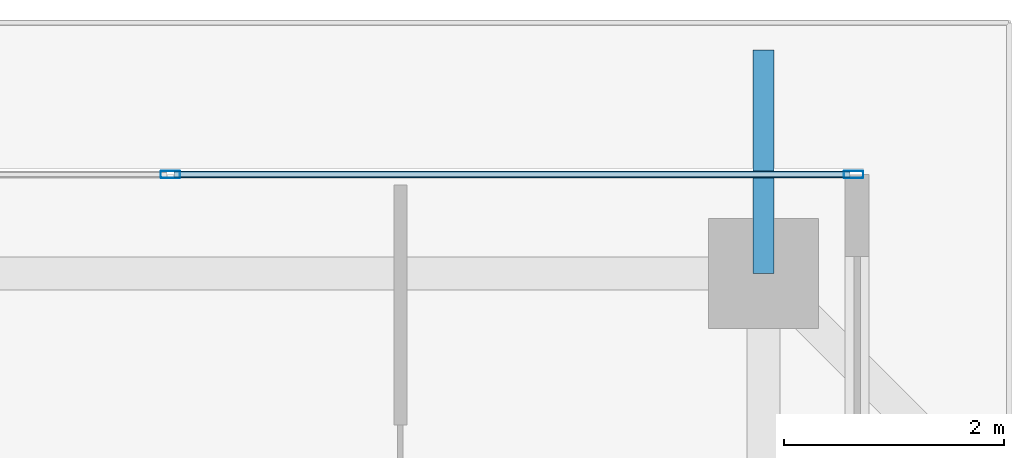
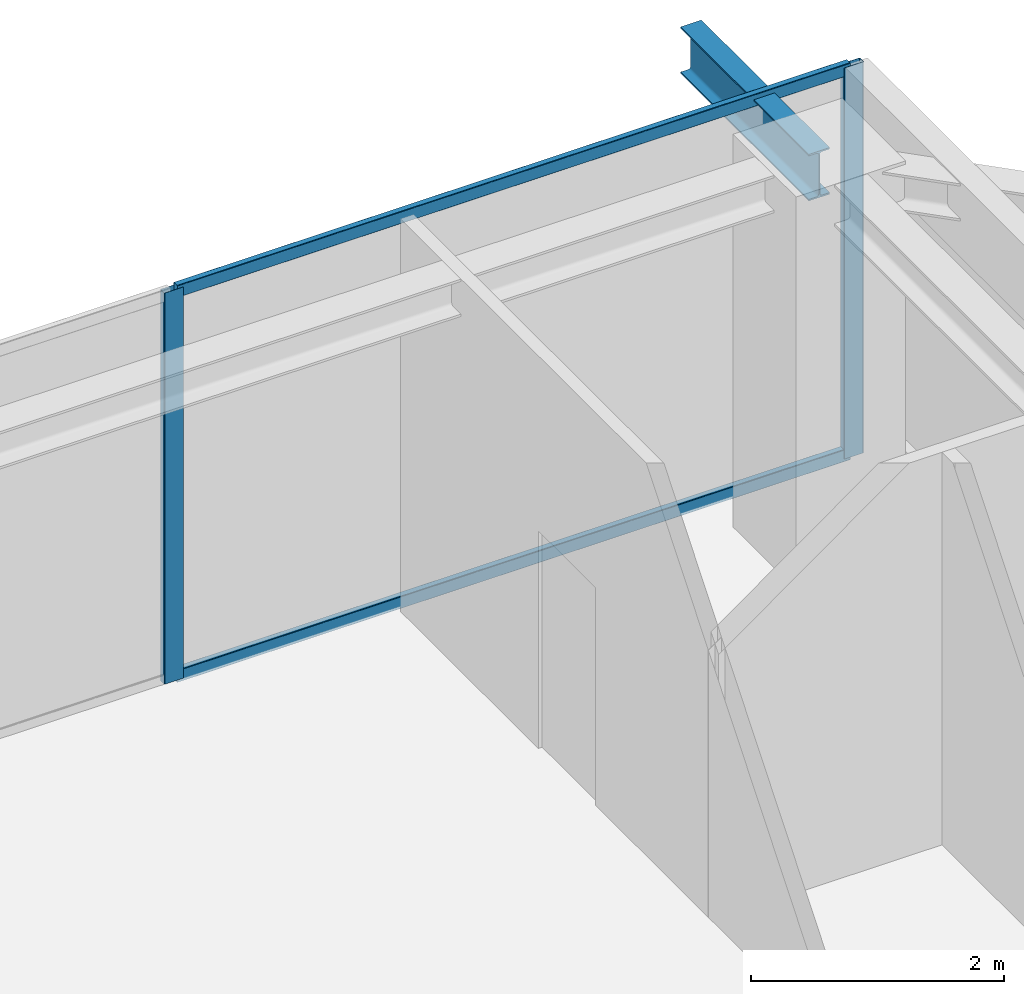
# One storey, part 29 of 42: 4 members, 1 beam, 1 element without a shape of its own.
"""IFC4 building model written with IfcOpenShell, lengths in metres."""

import ifcopenshell
import ifcopenshell.guid

model = None  # the IFC model being written
_history = None  # IfcOwnerHistory: only IFC2X3 demands one
_inside = {}  # id of a spatial element -> (the spatial element, [elements in it])
_under = {}  # id of a project, library or spatial element -> (it, [spatial elements below it])
_declared = {}  # id of a project -> (the project, [libraries it declares])
_typed = {}  # id of a type object -> (the type object, [elements of that type])
_made_of = {}  # id of a material, layer set ... -> (it, [elements and type objects made of it])


def new_model(schema):
    """Start an empty IFC model of exactly this schema.

    Asked for "IFC4X3", IfcOpenShell would pick the latest addendum, in which some entities
    have other attributes; the version numbers below select the first issue.
    IFC2X3 requires an IfcOwnerHistory on every rooted entity: one is made here for all.
    """
    global model, _history
    if schema == "IFC4X3":
        model = ifcopenshell.file(schema_version=(4, 3, 0, 0))
    else:
        model = ifcopenshell.file(schema=schema)
    _inside.clear()
    _under.clear()
    _declared.clear()
    _typed.clear()
    _made_of.clear()
    _history = None
    if model.schema == "IFC2X3":
        org = make("IfcOrganization", Name="unknown")
        user = make(
            "IfcPersonAndOrganization",
            ThePerson=make("IfcPerson", FamilyName="unknown"),
            TheOrganization=org,
        )
        app = make(
            "IfcApplication",
            ApplicationDeveloper=org,
            Version="unknown",
            ApplicationFullName="unknown",
            ApplicationIdentifier="unknown",
        )
        _history = make(
            "IfcOwnerHistory",
            OwningUser=user,
            OwningApplication=app,
            ChangeAction="ADDED",
            CreationDate=0,
        )
    return model


def make(cls, **values):
    """One entity of the class cls with the attributes given. An attribute that is None is left unset."""
    return model.create_entity(
        cls, **{name: value for name, value in values.items() if value is not None}
    )


def rooted(cls, **values):
    """An entity with a GlobalId (a new one), such as an element, a storey or a relation."""
    return make(cls, GlobalId=ifcopenshell.guid.new(), OwnerHistory=_history, **values)


def si_unit(unit_type, name, prefix=None):
    """IfcSIUnit, for example si_unit("LENGTHUNIT", "METRE", prefix="MILLI")."""
    return make("IfcSIUnit", UnitType=unit_type, Prefix=prefix, Name=name)


def assignment(units):
    """IfcUnitAssignment: the units of a project."""
    return None if units is None else make("IfcUnitAssignment", Units=units)


def point(xyz):
    """IfcCartesianPoint."""
    return None if xyz is None else make("IfcCartesianPoint", Coordinates=xyz)


def direction(xyz):
    """IfcDirection."""
    return None if xyz is None else make("IfcDirection", DirectionRatios=xyz)


def frame(location, z_axis=None, x_axis=None):
    """IfcAxis2Placement3D, a coordinate frame: its origin and axes. An axis left out is left unset."""
    return make(
        "IfcAxis2Placement3D",
        Location=point(location),
        Axis=direction(z_axis),
        RefDirection=direction(x_axis),
    )


def frame_2d(location, x_axis=None):
    """IfcAxis2Placement2D, a coordinate frame in the plane: its origin and x axis."""
    return make(
        "IfcAxis2Placement2D", Location=point(location), RefDirection=direction(x_axis)
    )


def origin():
    """The frame at (0, 0, 0) with its axes left unset."""
    return frame((0.0, 0.0, 0.0))


def origin_2d():
    """The frame at (0, 0) in the plane with its x axis left unset."""
    return frame_2d((0.0, 0.0))


def place(relative_to, where):
    """IfcLocalPlacement: puts the frame where relative to a parent placement (None: the world)."""
    return make(
        "IfcLocalPlacement", PlacementRelTo=relative_to, RelativePlacement=where
    )


def context(
    kind, dimensions, precision=None, world=None, true_north=None, identifier=None
):
    """IfcGeometricRepresentationContext, for example the 3D "Model" context."""
    return make(
        "IfcGeometricRepresentationContext",
        ContextIdentifier=identifier,
        ContextType=kind,
        CoordinateSpaceDimension=dimensions,
        Precision=precision,
        WorldCoordinateSystem=world,
        TrueNorth=true_north,
    )


def subcontext(parent, identifier, kind, view, scale=None):
    """IfcGeometricRepresentationSubContext, for example "Body" below "Model"."""
    return make(
        "IfcGeometricRepresentationSubContext",
        ContextIdentifier=identifier,
        ContextType=kind,
        ParentContext=parent,
        TargetScale=scale,
        TargetView=view,
    )


def project(units=None, contexts=None):
    """IfcProject with its units and contexts."""
    return rooted(
        "IfcProject",
        Name="project",
        RepresentationContexts=contexts,
        UnitsInContext=assignment(units),
    )


def spatial(cls, under=None, at=None, **own):
    """A site, building, storey or space (cls), placed at a placement, below another one or the project."""
    s = rooted(cls, ObjectPlacement=at, **own)
    if under is not None:
        _under.setdefault(under.id(), (under, []))[1].append(s)
    return s


def profile(cls, at=None, kind="AREA", **sizes):
    """A parametric profile (cls). Its sizes go by their IFC names, for example OverallWidth=200.0."""
    return make(cls, ProfileType=kind, Position=at, **sizes)


def hollow_rectangle(**sizes):
    """IfcRectangleHollowProfileDef."""
    return profile("IfcRectangleHollowProfileDef", **sizes)


def i_section(**sizes):
    """IfcIShapeProfileDef."""
    return profile("IfcIShapeProfileDef", **sizes)


def extrude(swept, where, along, depth):
    """IfcExtrudedAreaSolid: the profile swept, set in the frame where, extruded along a direction by depth."""
    return make(
        "IfcExtrudedAreaSolid",
        SweptArea=swept,
        Position=where,
        ExtrudedDirection=direction(along),
        Depth=depth,
    )


def shape(context_of_items, identifier, shape_type, items):
    """IfcShapeRepresentation: the items that make up one representation, for example the "Body"."""
    return make(
        "IfcShapeRepresentation",
        ContextOfItems=context_of_items,
        RepresentationIdentifier=identifier,
        RepresentationType=shape_type,
        Items=items,
    )


def source(mapping_origin, context_of_items, identifier, shape_type, items):
    """IfcRepresentationMap: a shape defined once, which mapped items show again and again."""
    return make(
        "IfcRepresentationMap",
        MappingOrigin=mapping_origin,
        MappedRepresentation=shape(context_of_items, identifier, shape_type, items),
    )


def transform(
    local_origin,
    x_axis=None,
    y_axis=None,
    z_axis=None,
    scale=None,
    scale2=None,
    scale3=None,
    uniform=True,
):
    """IfcCartesianTransformationOperator3D, or its non-uniform kind. x_axis, y_axis, z_axis: its Axis1, 2, 3."""
    if uniform:
        return make(
            "IfcCartesianTransformationOperator3D",
            Axis1=direction(x_axis),
            Axis2=direction(y_axis),
            LocalOrigin=point(local_origin),
            Scale=scale,
            Axis3=direction(z_axis),
        )
    return make(
        "IfcCartesianTransformationOperator3DnonUniform",
        Axis1=direction(x_axis),
        Axis2=direction(y_axis),
        LocalOrigin=point(local_origin),
        Scale=scale,
        Axis3=direction(z_axis),
        Scale2=scale2,
        Scale3=scale3,
    )


def mapped(mapping_source, mapping_target):
    """IfcMappedItem: shows the shape of a source again, moved by a transform."""
    return make(
        "IfcMappedItem", MappingSource=mapping_source, MappingTarget=mapping_target
    )


def material(Name=None, Category=None):
    """IfcMaterial."""
    return make("IfcMaterial", Name=Name, Category=Category)


def layer(
    of_material, thickness, ventilated=None, Name=None, Category=None, Priority=None
):
    """IfcMaterialLayer: one layer of a wall or slab, of a material (None: an air gap)."""
    return make(
        "IfcMaterialLayer",
        Material=of_material,
        LayerThickness=thickness,
        IsVentilated=ventilated,
        Name=Name,
        Category=Category,
        Priority=Priority,
    )


def layer_set(layers, Name=None):
    """IfcMaterialLayerSet."""
    return make("IfcMaterialLayerSet", MaterialLayers=layers, LayerSetName=Name)


def material_profile(
    of_material, cross_section, Name=None, Category=None, Priority=None
):
    """IfcMaterialProfile: a cross section and its material."""
    return make(
        "IfcMaterialProfile",
        Name=Name,
        Material=of_material,
        Profile=cross_section,
        Priority=Priority,
        Category=Category,
    )


def profile_set(profiles, Name=None, composite=None):
    """IfcMaterialProfileSet."""
    return make(
        "IfcMaterialProfileSet",
        Name=Name,
        MaterialProfiles=profiles,
        CompositeProfile=composite,
    )


def made_of(thing, what):
    """Note that an element or type object is made of a material, layer set ...; save() writes the relation."""
    if what is not None:
        _made_of.setdefault(what.id(), (what, []))[1].append(thing)
    return thing


def type_object(cls, material=None, **own):
    """A type object (cls), such as IfcWallType, which elements share."""
    return made_of(rooted(cls, **own), material)


def element(
    cls,
    number,
    at=None,
    inside=None,
    cuts=None,
    type_object=None,
    material=None,
    context=None,
    identifier="Body",
    shape_type=None,
    held_by="IfcProductDefinitionShape",
    body=None,
    shapes=None,
    **own,
):
    """One element of the class cls, such as IfcWall. Its Tag is "e" and its number.

    at: its placement. inside: the storey or other place that contains it. cuts: it is an
    opening in that element (IfcRelVoidsElement). A single representation is given by context,
    identifier, shape_type and body (its items); several are given by shapes. held_by: the class
    of the entity that holds the representations. save() writes the other relations.
    """
    e = rooted(cls, Tag="e%d" % number, ObjectPlacement=at, **own)
    if body is not None:
        shapes = [shape(context, identifier, shape_type, body)]
    if shapes is not None:
        e.Representation = make(held_by, Representations=shapes)
    if inside is not None:
        _inside.setdefault(inside.id(), (inside, []))[1].append(e)
    if cuts is not None:
        rooted(
            "IfcRelVoidsElement", RelatingBuildingElement=cuts, RelatedOpeningElement=e
        )
    if type_object is not None:
        _typed.setdefault(type_object.id(), (type_object, []))[1].append(e)
    return made_of(e, material)


def aggregate(whole, parts):
    """IfcRelAggregates: a whole, such as a stair, and the parts it consists of."""
    return rooted("IfcRelAggregates", RelatingObject=whole, RelatedObjects=parts)


def save(model, path):
    """Write the relations noted so far, then the file.

    IfcRelAggregates (storeys below a building ...), IfcRelContainedInSpatialStructure (elements
    in a storey), IfcRelDefinesByType, IfcRelAssociatesMaterial and IfcRelDeclares: one each for
    every whole, place, type object, material and project.
    """
    for whole, parts in _under.values():
        aggregate(whole, parts)
    for where, things in _inside.values():
        rooted(
            "IfcRelContainedInSpatialStructure",
            RelatedElements=things,
            RelatingStructure=where,
        )
    for kind, things in _typed.values():
        rooted("IfcRelDefinesByType", RelatedObjects=things, RelatingType=kind)
    for what, things in _made_of.values():
        rooted("IfcRelAssociatesMaterial", RelatedObjects=things, RelatingMaterial=what)
    for by, libraries in _declared.values():
        rooted("IfcRelDeclares", RelatingContext=by, RelatedDefinitions=libraries)
    model.write(path)


model = new_model("IFC4")

# Units and contexts
model_context = context("Model", 3, precision=1e-05, world=origin(), true_north=direction((0.0, 1.0)))
body_context = subcontext(model_context, "Body", "Model", "MODEL_VIEW")
ifc_project = project(units=[si_unit("LENGTHUNIT", "METRE"), si_unit("AREAUNIT", "SQUARE_METRE"), si_unit("VOLUMEUNIT", "CUBIC_METRE"), si_unit("PLANEANGLEUNIT", "RADIAN"), si_unit("MASSUNIT", "GRAM", prefix="KILO")], contexts=[model_context])

# Site, building, storey
site_placement = place(None, origin())
site = spatial("IfcSite", under=ifc_project, at=site_placement, CompositionType="ELEMENT")
building_placement = place(site_placement, origin())
building = spatial("IfcBuilding", under=site, at=building_placement, Name="Serunith Strait Residences", CompositionType="ELEMENT")
storey_placement = place(building_placement, frame((0.0, 0.0, 297.5)))
storey = spatial("IfcBuildingStorey", under=building, at=storey_placement, Name="L74", CompositionType="ELEMENT", Elevation=297.5)

# Beam
ifc_material_1 = material(Name="Steel S355J2", Category="steel")
ifc_material_profile_1 = material_profile(ifc_material_1, i_section(OverallWidth=0.18994140625, OverallDepth=0.449951171875, WebThickness=0.009521484375, FlangeThickness=0.0146484375, FilletRadius=0.02099609375, at=origin_2d()), Name="IPE 450")
ifc_profile_set_1 = profile_set([ifc_material_profile_1], Name="Steel S355J2")
beam_type = type_object("IfcBeamType", Name="BM-IPE450", PredefinedType="JOIST", material=ifc_profile_set_1)
shared_shape_1 = source(origin(), body_context, "Body", "SweptSolid", [
    extrude(i_section(OverallWidth=0.18994140625, OverallDepth=0.449951171875, WebThickness=0.009521484375, FlangeThickness=0.0146484375, FilletRadius=0.02099609375, at=origin_2d()), origin(), (0.0, 0.0, 1.0), 2.02978515625),
])
beam_placement = place(storey_placement, frame((47.14990234375, 47.10009765625, 3.531982421875), z_axis=(0.0, 1.0, 0.0), x_axis=(-1.0, 0.0, 0.0)))
element("IfcBeam", 1, at=beam_placement, inside=storey, type_object=beam_type, Name="L75 Cantilevered Balcony Rib TC-N4", PredefinedType="JOIST", context=body_context, shape_type="MappedRepresentation", body=[
    mapped(shared_shape_1, transform((0.0, 0.0, 0.0), scale=1.0)),
])

# Curtain wall, members
ifc_material_2 = material(Name="Brushed Stainless-Silver Aluminium", Category="aluminium")
ifc_layer = layer(ifc_material_2, 0.199951171875, Name="Brushed Stainless-Silver Aluminium")
ifc_layer_set = layer_set([ifc_layer], Name="Brushed Stainless-Silver Aluminium")
curtain_wall_type = type_object("IfcCurtainWallType", Name="CW-SYS5", PredefinedType="NOTDEFINED", material=ifc_layer_set)
curtain_wall_placement = place(storey_placement, origin())
curtain_wall = element("IfcCurtainWall", 2, at=curtain_wall_placement, inside=storey, type_object=curtain_wall_type, Name="L74 N Unitised Fritted Curtain Wall", PredefinedType="NOTDEFINED")
ifc_material_profile_2 = material_profile(ifc_material_2, hollow_rectangle(XDim=0.06005859375, YDim=0.1201171875, WallThickness=0.00341796875, InnerFilletRadius=0.00537109375, OuterFilletRadius=0.0087890625, at=origin_2d()), Name="ALU 120x60x3.5")
ifc_profile_set_2 = profile_set([ifc_material_profile_2], Name="Brushed Stainless-Silver Aluminium")
member_type_1 = type_object("IfcMemberType", Name="CW-SYS5-TRAN", PredefinedType="USERDEFINED", material=ifc_profile_set_2)
shared_shape_2 = source(origin(), body_context, "Body", "SweptSolid", [
    extrude(hollow_rectangle(XDim=0.06005859375, YDim=0.1201171875, WallThickness=0.00341796875, InnerFilletRadius=0.00537109375, OuterFilletRadius=0.0087890625, at=origin_2d()), origin(), (0.0, 0.0, 1.0), 6.142578125),
])
member_1_placement = place(storey_placement, frame((47.93505859375, 48.0, 0.030029296875), z_axis=(-1.0, 0.0, 0.0), x_axis=(0.0, -1.0, 0.0)))
member_1 = element("IfcMember", 3, at=member_1_placement, type_object=member_type_1, Name="CW-5 transom 1.1", ObjectType="TRANSOM", PredefinedType="USERDEFINED", context=body_context, shape_type="MappedRepresentation", body=[
    mapped(shared_shape_2, transform((0.0, 0.0, 0.0), scale=1.0)),
])
member_2_placement = place(storey_placement, frame((47.93505859375, 48.0, 3.7451171875), z_axis=(-1.0, 0.0, 0.0), x_axis=(0.0, -1.0, 0.0)))
member_2 = element("IfcMember", 4, at=member_2_placement, type_object=member_type_1, Name="CW-5 transom 1.2", ObjectType="TRANSOM", PredefinedType="USERDEFINED", context=body_context, shape_type="MappedRepresentation", body=[
    mapped(shared_shape_2, transform((0.0, 0.0, 0.0), scale=1.0)),
])
ifc_material_profile_3 = material_profile(ifc_material_2, hollow_rectangle(XDim=0.06494140625, YDim=0.179931640625, WallThickness=0.00341796875, InnerFilletRadius=0.00537109375, OuterFilletRadius=0.0087890625, at=origin_2d()), Name="ALU 180x65x3.5")
ifc_profile_set_3 = profile_set([ifc_material_profile_3], Name="Brushed Stainless-Silver Aluminium")
member_type_2 = type_object("IfcMemberType", Name="CW-SYS5-MULL", PredefinedType="MULLION", material=ifc_profile_set_3)
shared_shape_3 = source(origin(), body_context, "Body", "SweptSolid", [
    extrude(hollow_rectangle(XDim=0.06494140625, YDim=0.179931640625, WallThickness=0.00341796875, InnerFilletRadius=0.00537109375, OuterFilletRadius=0.0087890625, at=origin_2d()), origin(), (0.0, 0.0, 1.0), 3.77490234375),
])
member_3_placement = place(storey_placement, frame((47.967529296875, 48.0, 0.0), z_axis=(0.0, 0.0, 1.0), x_axis=(0.0, -1.0, 0.0)))
member_3 = element("IfcMember", 5, at=member_3_placement, type_object=member_type_2, Name="CW-5 mullion 1", PredefinedType="MULLION", context=body_context, shape_type="MappedRepresentation", body=[
    mapped(shared_shape_3, transform((0.0, 0.0, 0.0), scale=1.0)),
])
member_4_placement = place(storey_placement, frame((41.760009765625, 48.0, 0.0), z_axis=(0.0, 0.0, 1.0), x_axis=(0.0, -1.0, 0.0)))
member_4 = element("IfcMember", 6, at=member_4_placement, type_object=member_type_2, Name="CW-5 mullion 2", PredefinedType="MULLION", context=body_context, shape_type="MappedRepresentation", body=[
    mapped(shared_shape_3, transform((0.0, 0.0, 0.0), scale=1.0)),
])
aggregate(curtain_wall, [member_3, member_4, member_1, member_2])

save(model, "model.ifc")
